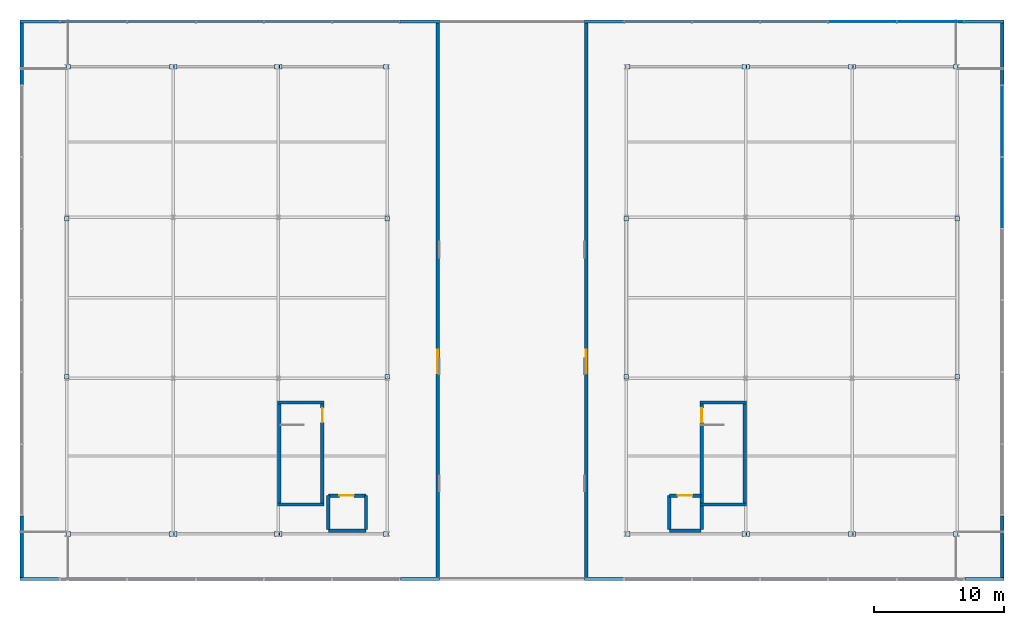
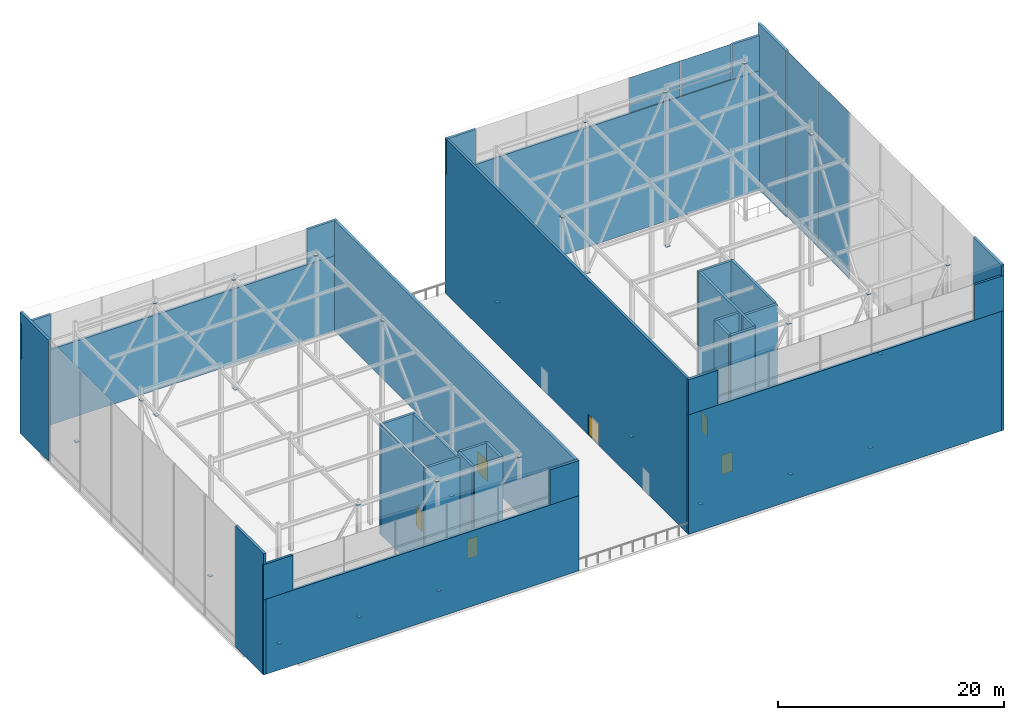
# One storey, part 37 of 39: 40 plates, 33 walls, 6 doors, 6 openings, 2 elements without a shape of their own.
"""IFC4 building model written with IfcOpenShell, lengths in metres."""

from ifc_helpers import new_model, si_unit, direction, frame, frame_2d, origin, origin_2d, place, context, subcontext, project, spatial, rectangle, extrude, material, layer, layer_set, type_object, element, fill, aggregate, save


model = new_model("IFC4")

# Units and contexts
model_context = context("Model", 3, precision=1e-05, world=origin(), true_north=direction((0.0, 1.0)))
body_context = subcontext(model_context, "Body", "Model", "MODEL_VIEW")
ifc_project = project(units=[si_unit("LENGTHUNIT", "METRE"), si_unit("AREAUNIT", "SQUARE_METRE"), si_unit("VOLUMEUNIT", "CUBIC_METRE"), si_unit("PLANEANGLEUNIT", "RADIAN"), si_unit("MASSUNIT", "GRAM", prefix="KILO")], contexts=[model_context])

# Site, building, storey
site_placement = place(None, origin())
site = spatial("IfcSite", under=ifc_project, at=site_placement, CompositionType="ELEMENT")
building_placement = place(site_placement, origin())
building = spatial("IfcBuilding", under=site, at=building_placement, Name="Korimba Cascade Residences", CompositionType="ELEMENT")
storey_placement = place(building_placement, frame((0.0, 0.0, 264.199951171875)))
storey = spatial("IfcBuildingStorey", under=building, at=storey_placement, Name="RF", CompositionType="ELEMENT", Elevation=264.199951171875)

# Curtain wall, plates
ifc_material_1 = material(Name="Anodised Aluminium Curtain Wall Framing", Category="aluminium")
ifc_layer_1 = layer(ifc_material_1, 0.179931640625)
ifc_layer_set_1 = layer_set([ifc_layer_1], Name="Anodised Aluminium Curtain Wall Framing")
curtain_wall_type = type_object("IfcCurtainWallType", Name="CW-CRNW-SYS5", PredefinedType="NOTDEFINED", material=ifc_layer_set_1)
curtain_wall_1_placement = place(storey_placement, origin())
curtain_wall_1 = element("IfcCurtainWall", 1, at=curtain_wall_1_placement, inside=storey, type_object=curtain_wall_type, Name="RF Curtain Wall CW-RF-CRN-E-1", PredefinedType="NOTDEFINED")
ifc_material_2 = material(Name="Insulated Stone-Tone Spandrel Panel", Category="masonry")
ifc_layer_2 = layer(ifc_material_2, 0.0400390625)
ifc_layer_set_2 = layer_set([ifc_layer_2], Name="Insulated Stone-Tone Spandrel Panel")
plate_type_1 = type_object("IfcPlateType", Name="CWP-SPN-40", PredefinedType="USERDEFINED", material=ifc_layer_set_2)
plate_1_placement = place(storey_placement, frame((131.875, 81.5, 0.0), z_axis=(0.0, 0.0, 1.0), x_axis=(0.0, 1.0, 0.0)))
plate_1 = element("IfcPlate", 2, at=plate_1_placement, type_object=plate_type_1, Name="CW-RF-CRN-E-1 Spandrel Panel 5", ObjectType="SPANDREL", PredefinedType="USERDEFINED", context=body_context, shape_type="SweptSolid", body=[
    extrude(rectangle(XDim=5.4833984375, YDim=0.0400390625, at=origin_2d()), origin(), (0.0, 0.0, 1.0), 0.89990234375),
])
plate_2_placement = place(storey_placement, frame((131.875, 87.01318359375, 0.0), z_axis=(0.0, 0.0, 1.0), x_axis=(0.0, 1.0, 0.0)))
plate_2 = element("IfcPlate", 3, at=plate_2_placement, type_object=plate_type_1, Name="CW-RF-CRN-E-1 Spandrel Panel 6", ObjectType="SPANDREL", PredefinedType="USERDEFINED", context=body_context, shape_type="SweptSolid", body=[
    extrude(rectangle(XDim=5.443359375, YDim=0.0400390625, at=origin_2d()), origin(), (0.0, 0.0, 1.0), 0.89990234375),
])

curtain_wall_2_placement = place(storey_placement, origin())
curtain_wall_2 = element("IfcCurtainWall", 4, at=curtain_wall_2_placement, inside=storey, type_object=curtain_wall_type, Name="RF Curtain Wall CW-RF-CRN-E-2", PredefinedType="NOTDEFINED")
plate_3_placement = place(storey_placement, frame((121.110107421875, 94.675048828125, 12.9501953125), z_axis=(0.0, 0.0, 1.0), x_axis=(1.0, 0.0, 0.0)))
plate_3 = element("IfcPlate", 5, at=plate_3_placement, type_object=plate_type_1, Name="CW-RF-CRN-E-2 Spandrel Panel 4", ObjectType="SPANDREL", PredefinedType="USERDEFINED", context=body_context, shape_type="SweptSolid", body=[
    extrude(rectangle(XDim=5.2099609375, YDim=0.0400390625, at=origin_2d()), origin(), (0.0, 0.0, 1.0), 0.89990234375),
])
plate_4_placement = place(storey_placement, frame((126.35009765625, 94.675048828125, 12.9501953125), z_axis=(0.0, 0.0, 1.0), x_axis=(1.0, 0.0, 0.0)))
plate_4 = element("IfcPlate", 6, at=plate_4_placement, type_object=plate_type_1, Name="CW-RF-CRN-E-2 Spandrel Panel 5", ObjectType="SPANDREL", PredefinedType="USERDEFINED", context=body_context, shape_type="SweptSolid", body=[
    extrude(rectangle(XDim=5.169921875, YDim=0.0400390625, at=origin_2d()), origin(), (0.0, 0.0, 1.0), 0.89990234375),
])

# Plate
ifc_material_3 = material(Name="Low-E Double Glazing Unit", Category="glass")
ifc_layer_3 = layer(ifc_material_3, 0.028076171875)
ifc_layer_set_3 = layer_set([ifc_layer_3], Name="Low-E Double Glazing Unit")
plate_type_2 = type_object("IfcPlateType", Name="CWP-VIS-28", PredefinedType="CURTAIN_PANEL", material=ifc_layer_set_3)
plate_5_placement = place(storey_placement, frame((131.875, 81.5, 0.900146484375), z_axis=(0.0, 0.0, 1.0), x_axis=(0.0, 1.0, 0.0)))
plate_5 = element("IfcPlate", 7, at=plate_5_placement, type_object=plate_type_2, Name="CW-RF-CRN-E-1 Vision Glass Panel 5", PredefinedType="CURTAIN_PANEL", context=body_context, shape_type="SweptSolid", body=[
    extrude(rectangle(XDim=5.4833984375, YDim=0.028076171875, at=origin_2d()), origin(), (0.0, 0.0, 1.0), 17.04541015625),
])

plate_6_placement = place(storey_placement, frame((131.875, 87.01318359375, 0.900146484375), z_axis=(0.0, 0.0, 1.0), x_axis=(0.0, 1.0, 0.0)))
plate_6 = element("IfcPlate", 8, at=plate_6_placement, type_object=plate_type_2, Name="CW-RF-CRN-E-1 Vision Glass Panel 6", PredefinedType="CURTAIN_PANEL", context=body_context, shape_type="SweptSolid", body=[
    extrude(rectangle(XDim=5.443359375, YDim=0.028076171875, at=origin_2d()), origin(), (0.0, 0.0, 1.0), 17.04541015625),
])

aggregate(curtain_wall_1, [plate_1, plate_5, plate_2, plate_6])

plate_7_placement = place(storey_placement, frame((121.110107421875, 94.675048828125, 13.85009765625), z_axis=(0.0, 0.0, 1.0), x_axis=(1.0, 0.0, 0.0)))
plate_7 = element("IfcPlate", 9, at=plate_7_placement, type_object=plate_type_2, Name="CW-RF-CRN-E-2 Vision Glass Panel 4", PredefinedType="CURTAIN_PANEL", context=body_context, shape_type="SweptSolid", body=[
    extrude(rectangle(XDim=5.2099609375, YDim=0.028076171875, at=origin_2d()), origin(), (0.0, 0.0, 1.0), 2.89990234375),
])

plate_8_placement = place(storey_placement, frame((126.35009765625, 94.675048828125, 13.85009765625), z_axis=(0.0, 0.0, 1.0), x_axis=(1.0, 0.0, 0.0)))
plate_8 = element("IfcPlate", 10, at=plate_8_placement, type_object=plate_type_2, Name="CW-RF-CRN-E-2 Vision Glass Panel 5", PredefinedType="CURTAIN_PANEL", context=body_context, shape_type="SweptSolid", body=[
    extrude(rectangle(XDim=5.169921875, YDim=0.028076171875, at=origin_2d()), origin(), (0.0, 0.0, 1.0), 2.89990234375),
])

aggregate(curtain_wall_2, [plate_3, plate_7, plate_4, plate_8])

# Plates
ifc_material_4 = material(Name="Steel S460", Category="steel")
ifc_layer_4 = layer(ifc_material_4, 0.028076171875)
ifc_layer_set_4 = layer_set([ifc_layer_4], Name="Steel S460")
plate_type_3 = type_object("IfcPlateType", Name="PLT-ENDCAP-28", PredefinedType="USERDEFINED", material=ifc_layer_set_4)
for number, where, z_axis, x_axis, name in (
    (11, (59.905029296875, 55.199951171875, 0.005859375), (0.0, 0.0, 1.0), (1.0, 0.0, 0.0), "RF Brace Welded End Connection Plate 186"),
    (12, (67.89501953125, 55.199951171875, 12.24365234375), (0.0, 0.0, 1.0), (1.0, 0.0, 0.0), "RF Brace Welded End Connection Plate 187"),
    (13, (68.10498046875, 55.199951171875, 0.005859375), (0.0, 0.0, 1.0), (1.0, 0.0, 0.0), "RF Brace Welded End Connection Plate 188"),
    (14, (75.9951171875, 55.199951171875, 11.94287109375), (0.0, 0.0, 1.0), (1.0, 0.0, 0.0), "RF Brace Welded End Connection Plate 189"),
    (15, (76.205078125, 55.199951171875, 0.005859375), (0.0, 0.0, 1.0), (1.0, 0.0, 0.0), "RF Brace Welded End Connection Plate 190"),
    (16, (84.39501953125, 55.199951171875, 11.63037109375), (0.0, 0.0, 1.0), (1.0, 0.0, 0.0), "RF Brace Welded End Connection Plate 191"),
    (17, (59.905029296875, 91.199951171875, 0.005859375), (0.0, 0.0, 1.0), (1.0, 0.0, 0.0), "RF Brace Welded End Connection Plate 192"),
    (18, (67.89501953125, 91.199951171875, 12.24365234375), (0.0, 0.0, 1.0), (1.0, 0.0, 0.0), "RF Brace Welded End Connection Plate 193"),
    (19, (68.10498046875, 91.199951171875, 0.005859375), (0.0, 0.0, 1.0), (1.0, 0.0, 0.0), "RF Brace Welded End Connection Plate 194"),
    (20, (75.9951171875, 91.199951171875, 11.94287109375), (0.0, 0.0, 1.0), (1.0, 0.0, 0.0), "RF Brace Welded End Connection Plate 195"),
    (21, (76.205078125, 91.199951171875, 0.005859375), (0.0, 0.0, 1.0), (1.0, 0.0, 0.0), "RF Brace Welded End Connection Plate 196"),
    (22, (84.39501953125, 91.199951171875, 11.63037109375), (0.0, 0.0, 1.0), (1.0, 0.0, 0.0), "RF Brace Welded End Connection Plate 197"),
    (23, (59.800048828125, 67.304931640625, 0.005859375), (0.0, 0.0, 1.0), (1.0, 0.0, 0.0), "RF Brace Welded End Connection Plate 198"),
    (24, (59.800048828125, 79.4951171875, 11.63037109375), (0.0, 0.0, 1.0), (1.0, 0.0, 0.0), "RF Brace Welded End Connection Plate 199"),
    (25, (84.5, 67.304931640625, 0.005859375), (0.0, 0.0, 1.0), (1.0, 0.0, 0.0), "RF Brace Welded End Connection Plate 200"),
    (26, (84.5, 79.4951171875, 11.63037109375), (0.0, 0.0, 1.0), (1.0, 0.0, 0.0), "RF Brace Welded End Connection Plate 201"),
    (27, (103.0048828125, 55.199951171875, 0.005859375), (0.0, 0.0, 1.0), (1.0, 0.0, 0.0), "RF Brace Welded End Connection Plate 202"),
    (28, (111.9951171875, 55.199951171875, 16.40087890625), (0.0, 0.0, 1.0), (1.0, 0.0, 0.0), "RF Brace Welded End Connection Plate 203"),
    (29, (112.205078125, 55.199951171875, 0.005859375), (0.0, 0.0, 1.0), (1.0, 0.0, 0.0), "RF Brace Welded End Connection Plate 204"),
    (30, (120.195068359375, 55.199951171875, 16.74267578125), (0.0, 0.0, 1.0), (1.0, 0.0, 0.0), "RF Brace Welded End Connection Plate 205"),
    (31, (120.405029296875, 55.199951171875, 0.005859375), (0.0, 0.0, 1.0), (1.0, 0.0, 0.0), "RF Brace Welded End Connection Plate 206"),
    (32, (128.294921875, 55.199951171875, 17.04736328125), (0.0, 0.0, 1.0), (1.0, 0.0, 0.0), "RF Brace Welded End Connection Plate 207"),
    (33, (103.0048828125, 91.199951171875, 0.005859375), (0.0, 0.0, 1.0), (1.0, 0.0, 0.0), "RF Brace Welded End Connection Plate 208"),
    (34, (111.9951171875, 91.199951171875, 16.40087890625), (0.0, 0.0, 1.0), (1.0, 0.0, 0.0), "RF Brace Welded End Connection Plate 209"),
    (35, (112.205078125, 91.199951171875, 0.005859375), (0.0, 0.0, 1.0), (1.0, 0.0, 0.0), "RF Brace Welded End Connection Plate 210"),
    (36, (120.195068359375, 91.199951171875, 16.74267578125), (0.0, 0.0, 1.0), (1.0, 0.0, 0.0), "RF Brace Welded End Connection Plate 211"),
    (37, (120.405029296875, 91.199951171875, 0.005859375), (0.0, 0.0, 1.0), (1.0, 0.0, 0.0), "RF Brace Welded End Connection Plate 212"),
    (38, (128.294921875, 91.199951171875, 17.04736328125), (0.0, 0.0, 1.0), (1.0, 0.0, 0.0), "RF Brace Welded End Connection Plate 213"),
    (39, (102.89990234375, 67.304931640625, 0.005859375), (0.0, 0.0, 1.0), (1.0, 0.0, 0.0), "RF Brace Welded End Connection Plate 214"),
    (40, (102.89990234375, 79.4951171875, 16.40087890625), (0.0, 0.0, 1.0), (1.0, 0.0, 0.0), "RF Brace Welded End Connection Plate 215"),
    (41, (128.39990234375, 67.304931640625, 0.005859375), (0.0, 0.0, 1.0), (1.0, 0.0, 0.0), "RF Brace Welded End Connection Plate 216"),
    (42, (128.39990234375, 79.4951171875, 16.40087890625), (0.0, 0.0, 1.0), (1.0, 0.0, 0.0), "RF Brace Welded End Connection Plate 217"),
):
    element("IfcPlate", number, at=place(storey_placement, frame(where, z_axis=z_axis, x_axis=x_axis)), inside=storey, type_object=plate_type_3, Name=name, ObjectType="CAP PLATE", PredefinedType="USERDEFINED", context=body_context, shape_type="SweptSolid", body=[
        extrude(rectangle(XDim=0.360107421875, YDim=0.360107421875, at=origin_2d()), origin(), (0.0, 0.0, 1.0), 0.028076171875),
    ])

# Walls
ifc_material_5 = material(Name="Precast concrete C40/50", Category="concrete")
ifc_layer_5 = layer(ifc_material_5, 0.25)
ifc_layer_set_5 = layer_set([ifc_layer_5], Name="Precast concrete C40/50")
wall_type_1 = type_object("IfcWallType", Name="EW-PLNT-250", PredefinedType="SHEAR", material=ifc_layer_set_5)
wall_1_placement = place(storey_placement, frame((56.199951171875, 51.72509765625, 0.0), z_axis=(0.0, 0.0, 1.0), x_axis=(1.0, 0.0, 0.0)))
element("IfcWall", 43, at=wall_1_placement, inside=storey, type_object=wall_type_1, Name="RF Crown W South Stone Cladding Wall", PredefinedType="SHEAR", context=body_context, shape_type="SweptSolid", body=[
    extrude(rectangle(XDim=32.300048828125, YDim=0.25, at=frame_2d((16.14990234375, 0.0))), origin(), (0.0, 0.0, 1.0), 8.150146484375),
])
for number, where, z_axis, x_axis, name in (
    (44, (56.199951171875, 51.72509765625, 8.150146484375), (0.0, 0.0, 1.0), (1.0, 0.0, 0.0), "RF Crown W South Clerestory Pier 1"),
    (45, (85.5, 51.72509765625, 8.150146484375), (0.0, 0.0, 1.0), (1.0, 0.0, 0.0), "RF Crown W South Clerestory Pier 2"),
):
    element("IfcWall", number, at=place(storey_placement, frame(where, z_axis=z_axis, x_axis=x_axis)), inside=storey, type_object=wall_type_1, Name=name, PredefinedType="SHEAR", context=body_context, shape_type="SweptSolid", body=[
        extrude(rectangle(XDim=3.0, YDim=0.25, at=frame_2d((1.5, 0.0))), origin(), (0.0, 0.0, 1.0), 3.7998046875),
    ])
wall_2_placement = place(storey_placement, frame((88.5, 94.675048828125, 0.0), z_axis=(0.0, 0.0, 1.0), x_axis=(-1.0, 0.0, 0.0)))
element("IfcWall", 46, at=wall_2_placement, inside=storey, type_object=wall_type_1, Name="RF Crown W North Stone Cladding Wall", PredefinedType="SHEAR", context=body_context, shape_type="SweptSolid", body=[
    extrude(rectangle(XDim=32.300048828125, YDim=0.25, at=frame_2d((16.14990234375, 0.0))), origin(), (0.0, 0.0, 1.0), 8.150146484375),
])
for number, where, z_axis, x_axis, name in (
    (47, (88.5, 94.675048828125, 8.150146484375), (0.0, 0.0, 1.0), (-1.0, 0.0, 0.0), "RF Crown W North Clerestory Pier 1"),
    (48, (59.199951171875, 94.675048828125, 8.150146484375), (0.0, 0.0, 1.0), (-1.0, 0.0, 0.0), "RF Crown W North Clerestory Pier 2"),
):
    element("IfcWall", number, at=place(storey_placement, frame(where, z_axis=z_axis, x_axis=x_axis)), inside=storey, type_object=wall_type_1, Name=name, PredefinedType="SHEAR", context=body_context, shape_type="SweptSolid", body=[
        extrude(rectangle(XDim=3.0, YDim=0.25, at=frame_2d((1.5, 0.0))), origin(), (0.0, 0.0, 1.0), 3.7998046875),
    ])
for number, where, z_axis, x_axis, name in (
    (49, (56.324951171875, 51.60009765625, 0.0), (0.0, 0.0, 1.0), (0.0, 1.0, 0.0), "RF Crown W Outer Corner Pier 1"),
    (50, (56.324951171875, 89.800048828125, 0.0), (0.0, 0.0, 1.0), (0.0, 1.0, 0.0), "RF Crown W Outer Corner Pier 2"),
):
    element("IfcWall", number, at=place(storey_placement, frame(where, z_axis=z_axis, x_axis=x_axis)), inside=storey, type_object=wall_type_1, Name=name, PredefinedType="SHEAR", context=body_context, shape_type="SweptSolid", body=[
        extrude(rectangle(XDim=5.0, YDim=0.25, at=frame_2d((2.5, 0.0))), origin(), (0.0, 0.0, 1.0), 13.1455078125),
    ])

# Wall, opening, door
wall_3_placement = place(storey_placement, frame((88.375, 51.60009765625, 0.0), z_axis=(0.0, 0.0, 1.0), x_axis=(0.0, 1.0, 0.0)))
wall_3 = element("IfcWall", 51, at=wall_3_placement, inside=storey, type_object=wall_type_1, Name="RF Crown W Cleft Stone Wall", PredefinedType="SHEAR", context=body_context, shape_type="SweptSolid", body=[
    extrude(rectangle(XDim=43.199951171875, YDim=0.25, at=frame_2d((21.60009765625, 0.0))), origin(), (0.0, 0.0, 1.0), 11.949951171875),
])
opening_1_placement = place(wall_3_placement, frame((16.0, 0.0, 0.0)))
opening_1 = element("IfcOpeningElement", 52, at=opening_1_placement, cuts=wall_3, Name="Opening D-EX2", PredefinedType="OPENING", context=body_context, shape_type="SweptSolid", body=[
    extrude(rectangle(XDim=1.800048828125, YDim=2.199951171875, at=frame_2d((0.89990234375, 1.10009765625))), frame((0.0, 0.135009765625, 0.0), z_axis=(0.0, -1.0, 0.0), x_axis=(1.0, 0.0, 0.0)), (0.0, 0.0, 1.0), 0.27001953125),
])
ifc_material_6 = material(Name="Galvanised Steel Fire Exit Door", Category="steel")
door_type_1 = type_object("IfcDoorType", Name="DR-EXT-EXIT", OperationType="NOTDEFINED", PredefinedType="DOOR", material=ifc_material_6)
door_1_placement = place(opening_1_placement, origin())
door_1 = element("IfcDoor", 53, at=door_1_placement, inside=storey, type_object=door_type_1, Name="RF Crown W Sky-Slot Maintenance Door", OperationType="DOUBLE_DOOR_SINGLE_SWING", OverallHeight=2.199951171875, OverallWidth=1.800048828125, PredefinedType="DOOR", context=body_context, shape_type="SweptSolid", body=[
    extrude(rectangle(XDim=1.800048828125, YDim=2.199951171875, at=frame_2d((0.89990234375, 1.10009765625))), frame((0.0, 0.02490234375, 0.0), z_axis=(0.0, -1.0, 0.0), x_axis=(1.0, 0.0, 0.0)), (0.0, 0.0, 1.0), 0.050048828125),
])
fill(opening_1, door_1)

# Walls
wall_4_placement = place(storey_placement, frame((99.699951171875, 51.72509765625, 0.0), z_axis=(0.0, 0.0, 1.0), x_axis=(1.0, 0.0, 0.0)))
element("IfcWall", 54, at=wall_4_placement, inside=storey, type_object=wall_type_1, Name="RF Crown E South Stone Cladding Wall", PredefinedType="SHEAR", context=body_context, shape_type="SweptSolid", body=[
    extrude(rectangle(XDim=32.300048828125, YDim=0.25, at=frame_2d((16.14990234375, 0.0))), origin(), (0.0, 0.0, 1.0), 12.949951171875),
])
for number, where, z_axis, x_axis, name in (
    (55, (99.699951171875, 51.72509765625, 12.949951171875), (0.0, 0.0, 1.0), (1.0, 0.0, 0.0), "RF Crown E South Clerestory Pier 1"),
    (56, (129.0, 51.72509765625, 12.949951171875), (0.0, 0.0, 1.0), (1.0, 0.0, 0.0), "RF Crown E South Clerestory Pier 2"),
):
    element("IfcWall", number, at=place(storey_placement, frame(where, z_axis=z_axis, x_axis=x_axis)), inside=storey, type_object=wall_type_1, Name=name, PredefinedType="SHEAR", context=body_context, shape_type="SweptSolid", body=[
        extrude(rectangle(XDim=3.0, YDim=0.25, at=frame_2d((1.5, 0.0))), origin(), (0.0, 0.0, 1.0), 3.800048828125),
    ])
wall_5_placement = place(storey_placement, frame((132.0, 94.675048828125, 0.0), z_axis=(0.0, 0.0, 1.0), x_axis=(-1.0, 0.0, 0.0)))
element("IfcWall", 57, at=wall_5_placement, inside=storey, type_object=wall_type_1, Name="RF Crown E North Stone Cladding Wall", PredefinedType="SHEAR", context=body_context, shape_type="SweptSolid", body=[
    extrude(rectangle(XDim=32.300048828125, YDim=0.25, at=frame_2d((16.14990234375, 0.0))), origin(), (0.0, 0.0, 1.0), 12.949951171875),
])
for number, where, z_axis, x_axis, name in (
    (58, (132.0, 94.675048828125, 12.949951171875), (0.0, 0.0, 1.0), (-1.0, 0.0, 0.0), "RF Crown E North Clerestory Pier 1"),
    (59, (102.699951171875, 94.675048828125, 12.949951171875), (0.0, 0.0, 1.0), (-1.0, 0.0, 0.0), "RF Crown E North Clerestory Pier 2"),
):
    element("IfcWall", number, at=place(storey_placement, frame(where, z_axis=z_axis, x_axis=x_axis)), inside=storey, type_object=wall_type_1, Name=name, PredefinedType="SHEAR", context=body_context, shape_type="SweptSolid", body=[
        extrude(rectangle(XDim=3.0, YDim=0.25, at=frame_2d((1.5, 0.0))), origin(), (0.0, 0.0, 1.0), 3.800048828125),
    ])
for number, where, z_axis, x_axis, name in (
    (60, (131.875, 51.60009765625, 0.0), (0.0, 0.0, 1.0), (0.0, 1.0, 0.0), "RF Crown E Outer Corner Pier 1"),
    (61, (131.875, 89.800048828125, 0.0), (0.0, 0.0, 1.0), (0.0, 1.0, 0.0), "RF Crown E Outer Corner Pier 2"),
):
    element("IfcWall", number, at=place(storey_placement, frame(where, z_axis=z_axis, x_axis=x_axis)), inside=storey, type_object=wall_type_1, Name=name, PredefinedType="SHEAR", context=body_context, shape_type="SweptSolid", body=[
        extrude(rectangle(XDim=5.0, YDim=0.25, at=frame_2d((2.5, 0.0))), origin(), (0.0, 0.0, 1.0), 17.945556640625),
    ])

# Wall, opening, door
wall_6_placement = place(storey_placement, frame((99.824951171875, 51.60009765625, 0.0), z_axis=(0.0, 0.0, 1.0), x_axis=(0.0, 1.0, 0.0)))
wall_6 = element("IfcWall", 62, at=wall_6_placement, inside=storey, type_object=wall_type_1, Name="RF Crown E Cleft Stone Wall", PredefinedType="SHEAR", context=body_context, shape_type="SweptSolid", body=[
    extrude(rectangle(XDim=43.199951171875, YDim=0.25, at=frame_2d((21.60009765625, 0.0))), origin(), (0.0, 0.0, 1.0), 16.75),
])
opening_2_placement = place(wall_6_placement, frame((16.0, 0.0, 0.0)))
opening_2 = element("IfcOpeningElement", 63, at=opening_2_placement, cuts=wall_6, Name="Opening D-EX2", PredefinedType="OPENING", context=body_context, shape_type="SweptSolid", body=[
    extrude(rectangle(XDim=1.800048828125, YDim=2.199951171875, at=frame_2d((0.89990234375, 1.10009765625))), frame((0.0, 0.135009765625, 0.0), z_axis=(0.0, -1.0, 0.0), x_axis=(1.0, 0.0, 0.0)), (0.0, 0.0, 1.0), 0.27001953125),
])
door_2_placement = place(opening_2_placement, origin())
door_2 = element("IfcDoor", 64, at=door_2_placement, inside=storey, type_object=door_type_1, Name="RF Crown E Sky-Slot Maintenance Door", OperationType="DOUBLE_DOOR_SINGLE_SWING", OverallHeight=2.199951171875, OverallWidth=1.800048828125, PredefinedType="DOOR", context=body_context, shape_type="SweptSolid", body=[
    extrude(rectangle(XDim=1.800048828125, YDim=2.199951171875, at=frame_2d((0.89990234375, 1.10009765625))), frame((0.0, 0.02490234375, 0.0), z_axis=(0.0, -1.0, 0.0), x_axis=(1.0, 0.0, 0.0)), (0.0, 0.0, 1.0), 0.050048828125),
])
fill(opening_2, door_2)

# Walls
ifc_material_7 = material(Name="Concrete C50/60", Category="concrete")
ifc_layer_6 = layer(ifc_material_7, 0.25)
ifc_layer_set_6 = layer_set([ifc_layer_6], Name="Concrete C50/60")
wall_type_2 = type_object("IfcWallType", Name="WAL-SHAFT-250", PredefinedType="SHEAR", material=ifc_layer_set_6)
wall_7_placement = place(storey_placement, frame((76.175048828125, 57.60009765625, 0.0), z_axis=(0.0, 0.0, 1.0), x_axis=(0.0, 1.0, 0.0)))
element("IfcWall", 65, at=wall_7_placement, inside=storey, type_object=wall_type_2, Name="RF Core Shear Wall CW-RF-STW1W", PredefinedType="SHEAR", context=body_context, shape_type="SweptSolid", body=[
    extrude(rectangle(XDim=7.599853515625, YDim=0.25, at=frame_2d((3.7998046875, 0.0))), origin(), (0.0, 0.0, 1.0), 11.949951171875),
])
for number, where, z_axis, x_axis, name in (
    (66, (76.050048828125, 57.47509765625, 0.0), (0.0, 0.0, 1.0), (1.0, 0.0, 0.0), "RF Core Shear Wall CW-RF-STW1S"),
    (67, (76.050048828125, 65.324951171875, 0.0), (0.0, 0.0, 1.0), (1.0, 0.0, 0.0), "RF Core Shear Wall CW-RF-STW1N"),
):
    element("IfcWall", number, at=place(storey_placement, frame(where, z_axis=z_axis, x_axis=x_axis)), inside=storey, type_object=wall_type_2, Name=name, PredefinedType="SHEAR", context=body_context, shape_type="SweptSolid", body=[
        extrude(rectangle(XDim=3.56005859375, YDim=0.25, at=frame_2d((1.780029296875, 0.0))), origin(), (0.0, 0.0, 1.0), 11.949951171875),
    ])

# Wall, opening, door
wall_8_placement = place(storey_placement, frame((79.485107421875, 57.60009765625, 0.0), z_axis=(0.0, 0.0, 1.0), x_axis=(0.0, 1.0, 0.0)))
wall_8 = element("IfcWall", 68, at=wall_8_placement, inside=storey, type_object=wall_type_2, Name="RF Core Shear Wall CW-RF-STW1E", PredefinedType="SHEAR", context=body_context, shape_type="SweptSolid", body=[
    extrude(rectangle(XDim=7.599853515625, YDim=0.25, at=frame_2d((3.7998046875, 0.0))), origin(), (0.0, 0.0, 1.0), 11.949951171875),
])
opening_3_placement = place(wall_8_placement, frame((6.199951171875, 0.0, 0.0)))
opening_3 = element("IfcOpeningElement", 69, at=opening_3_placement, cuts=wall_8, Name="Opening D-FD1", PredefinedType="OPENING", context=body_context, shape_type="SweptSolid", body=[
    extrude(rectangle(XDim=1.10009765625, YDim=2.10009765625, at=frame_2d((0.550048828125, 1.050048828125))), frame((0.0, 0.135009765625, 0.0), z_axis=(0.0, -1.0, 0.0), x_axis=(1.0, 0.0, 0.0)), (0.0, 0.0, 1.0), 0.27001953125),
])
ifc_material_8 = material(Name="Fire-Rated Steel Core Door", Category="steel")
door_type_2 = type_object("IfcDoorType", Name="DR-FD120-1100", OperationType="NOTDEFINED", PredefinedType="DOOR", material=ifc_material_8)
door_3_placement = place(opening_3_placement, origin())
door_3 = element("IfcDoor", 70, at=door_3_placement, inside=storey, type_object=door_type_2, Name="RF Stair ST-W1 Crown Door", OperationType="SINGLE_SWING_RIGHT", OverallHeight=2.10009765625, OverallWidth=1.10009765625, PredefinedType="DOOR", context=body_context, shape_type="SweptSolid", body=[
    extrude(rectangle(XDim=1.10009765625, YDim=2.10009765625, at=frame_2d((0.550048828125, 1.050048828125))), frame((0.0, 0.02490234375, 0.0), z_axis=(0.0, -1.0, 0.0), x_axis=(1.0, 0.0, 0.0)), (0.0, 0.0, 1.0), 0.050048828125),
])
fill(opening_3, door_3)

# Walls
for number, where, z_axis, x_axis, name in (
    (71, (79.949951171875, 55.550048828125, 0.0), (0.0, 0.0, 1.0), (0.0, 1.0, 0.0), "RF Core Shear Wall CW-RF-FFLW"),
    (72, (82.85009765625, 55.550048828125, 0.0), (0.0, 0.0, 1.0), (0.0, 1.0, 0.0), "RF Core Shear Wall CW-RF-FFLE"),
):
    element("IfcWall", number, at=place(storey_placement, frame(where, z_axis=z_axis, x_axis=x_axis)), inside=storey, type_object=wall_type_2, Name=name, PredefinedType="SHEAR", context=body_context, shape_type="SweptSolid", body=[
        extrude(rectangle(XDim=2.599853515625, YDim=0.25, at=frame_2d((1.2998046875, 0.0))), origin(), (0.0, 0.0, 1.0), 11.949951171875),
    ])
wall_9_placement = place(storey_placement, frame((79.949951171875, 55.449951171875, 0.0), z_axis=(0.0, 0.0, 1.0), x_axis=(1.0, 0.0, 0.0)))
element("IfcWall", 73, at=wall_9_placement, inside=storey, type_object=wall_type_2, Name="RF Core Shear Wall CW-RF-FFLS", PredefinedType="SHEAR", context=body_context, shape_type="SweptSolid", body=[
    extrude(rectangle(XDim=2.900146484375, YDim=0.25, at=frame_2d((1.4501953125, 0.0))), origin(), (0.0, 0.0, 1.0), 11.949951171875),
])

# Wall, opening, door
wall_10_placement = place(storey_placement, frame((79.949951171875, 58.14990234375, 0.0), z_axis=(0.0, 0.0, 1.0), x_axis=(1.0, 0.0, 0.0)))
wall_10 = element("IfcWall", 74, at=wall_10_placement, inside=storey, type_object=wall_type_2, Name="RF Core Shear Wall CW-RF-FFLN", PredefinedType="SHEAR", context=body_context, shape_type="SweptSolid", body=[
    extrude(rectangle(XDim=2.900146484375, YDim=0.25, at=frame_2d((1.4501953125, 0.0))), origin(), (0.0, 0.0, 1.0), 11.949951171875),
])
opening_4_placement = place(wall_10_placement, frame((0.85009765625, 0.0, 0.0)))
opening_4 = element("IfcOpeningElement", 75, at=opening_4_placement, cuts=wall_10, Name="Opening LD-01", PredefinedType="OPENING", context=body_context, shape_type="SweptSolid", body=[
    extrude(rectangle(XDim=1.1201171875, YDim=2.1201171875, at=frame_2d((0.56005859375, 1.06005859375))), frame((0.0, 0.135009765625, 0.0), z_axis=(0.0, -1.0, 0.0), x_axis=(1.0, 0.0, 0.0)), (0.0, 0.0, 1.0), 0.27001953125),
])
ifc_material_9 = material(Name="Stainless Steel Lift Landing Sliding Door", Category="steel")
door_type_3 = type_object("IfcDoorType", Name="DR-LIFT-1100", OperationType="NOTDEFINED", PredefinedType="DOOR", material=ifc_material_9)
door_4_placement = place(opening_4_placement, origin())
door_4 = element("IfcDoor", 76, at=door_4_placement, inside=storey, type_object=door_type_3, Name="RF Firefighting Lift Landing Door FFL-W1", OperationType="SLIDING_TO_LEFT", OverallHeight=2.1201171875, OverallWidth=1.1201171875, PredefinedType="DOOR", context=body_context, shape_type="SweptSolid", body=[
    extrude(rectangle(XDim=1.1201171875, YDim=2.1201171875, at=frame_2d((0.56005859375, 1.06005859375))), frame((0.0, 0.02490234375, 0.0), z_axis=(0.0, -1.0, 0.0), x_axis=(1.0, 0.0, 0.0)), (0.0, 0.0, 1.0), 0.050048828125),
])
fill(opening_4, door_4)

# Walls
wall_11_placement = place(storey_placement, frame((106.219970703125, 55.550048828125, 0.0), z_axis=(0.0, 0.0, 1.0), x_axis=(0.0, 1.0, 0.0)))
element("IfcWall", 77, at=wall_11_placement, inside=storey, type_object=wall_type_2, Name="RF Core Shear Wall CW-RF-FF2W", PredefinedType="SHEAR", context=body_context, shape_type="SweptSolid", body=[
    extrude(rectangle(XDim=2.599853515625, YDim=0.25, at=frame_2d((1.2998046875, 0.0))), origin(), (0.0, 0.0, 1.0), 16.9921875),
])
wall_12_placement = place(storey_placement, frame((106.219970703125, 55.449951171875, 0.0), z_axis=(0.0, 0.0, 1.0), x_axis=(1.0, 0.0, 0.0)))
element("IfcWall", 78, at=wall_12_placement, inside=storey, type_object=wall_type_2, Name="RF Core Shear Wall CW-RF-FF2S", PredefinedType="SHEAR", context=body_context, shape_type="SweptSolid", body=[
    extrude(rectangle(XDim=2.4599609375, YDim=0.25, at=frame_2d((1.22998046875, 0.0))), origin(), (0.0, 0.0, 1.0), 16.9921875),
])

# Wall, opening, door
wall_13_placement = place(storey_placement, frame((106.219970703125, 58.14990234375, 0.0), z_axis=(0.0, 0.0, 1.0), x_axis=(1.0, 0.0, 0.0)))
wall_13 = element("IfcWall", 79, at=wall_13_placement, inside=storey, type_object=wall_type_2, Name="RF Core Shear Wall CW-RF-FF2N", PredefinedType="SHEAR", context=body_context, shape_type="SweptSolid", body=[
    extrude(rectangle(XDim=2.4599609375, YDim=0.25, at=frame_2d((1.22998046875, 0.0))), origin(), (0.0, 0.0, 1.0), 16.9921875),
])
opening_5_placement = place(wall_13_placement, frame((0.64990234375, 0.0, 0.0)))
opening_5 = element("IfcOpeningElement", 80, at=opening_5_placement, cuts=wall_13, Name="Opening LD-01", PredefinedType="OPENING", context=body_context, shape_type="SweptSolid", body=[
    extrude(rectangle(XDim=1.1201171875, YDim=2.1201171875, at=frame_2d((0.56005859375, 1.06005859375))), frame((0.0, 0.135009765625, 0.0), z_axis=(0.0, -1.0, 0.0), x_axis=(1.0, 0.0, 0.0)), (0.0, 0.0, 1.0), 0.27001953125),
])
door_5_placement = place(opening_5_placement, origin())
door_5 = element("IfcDoor", 81, at=door_5_placement, inside=storey, type_object=door_type_3, Name="RF Firefighting Lift Landing Door FFL-W2", OperationType="SLIDING_TO_RIGHT", OverallHeight=2.1201171875, OverallWidth=1.1201171875, PredefinedType="DOOR", context=body_context, shape_type="SweptSolid", body=[
    extrude(rectangle(XDim=1.1201171875, YDim=2.1201171875, at=frame_2d((0.56005859375, 1.06005859375))), frame((0.0, 0.02490234375, 0.0), z_axis=(0.0, -1.0, 0.0), x_axis=(1.0, 0.0, 0.0)), (0.0, 0.0, 1.0), 0.050048828125),
])
fill(opening_5, door_5)

# Walls
wall_14_placement = place(storey_placement, frame((112.02490234375, 57.60009765625, 0.0), z_axis=(0.0, 0.0, 1.0), x_axis=(0.0, 1.0, 0.0)))
element("IfcWall", 82, at=wall_14_placement, inside=storey, type_object=wall_type_2, Name="RF Core Shear Wall CW-RF-STW2E", PredefinedType="SHEAR", context=body_context, shape_type="SweptSolid", body=[
    extrude(rectangle(XDim=7.599853515625, YDim=0.25, at=frame_2d((3.7998046875, 0.0))), origin(), (0.0, 0.0, 1.0), 17.2080078125),
])
for number, where, z_axis, x_axis, name in (
    (83, (108.590087890625, 57.47509765625, 0.0), (0.0, 0.0, 1.0), (1.0, 0.0, 0.0), "RF Core Shear Wall CW-RF-STW2S"),
    (84, (108.590087890625, 65.324951171875, 0.0), (0.0, 0.0, 1.0), (1.0, 0.0, 0.0), "RF Core Shear Wall CW-RF-STW2N"),
):
    element("IfcWall", number, at=place(storey_placement, frame(where, z_axis=z_axis, x_axis=x_axis)), inside=storey, type_object=wall_type_2, Name=name, PredefinedType="SHEAR", context=body_context, shape_type="SweptSolid", body=[
        extrude(rectangle(XDim=3.559814453125, YDim=0.25, at=frame_2d((1.77978515625, 0.0))), origin(), (0.0, 0.0, 1.0), 17.080322265625),
    ])

# Wall, opening, door
wall_15_placement = place(storey_placement, frame((108.715087890625, 55.550048828125, 0.0), z_axis=(0.0, 0.0, 1.0), x_axis=(0.0, 1.0, 0.0)))
wall_15 = element("IfcWall", 85, at=wall_15_placement, inside=storey, type_object=wall_type_2, Name="RF Core Shear Wall CW-RF-STW2W", PredefinedType="SHEAR", context=body_context, shape_type="SweptSolid", body=[
    extrude(rectangle(XDim=9.64990234375, YDim=0.25, at=frame_2d((4.824951171875, 0.0))), origin(), (0.0, 0.0, 1.0), 17.0849609375),
])
opening_6_placement = place(wall_15_placement, frame((8.25, 0.0, 0.0)))
opening_6 = element("IfcOpeningElement", 86, at=opening_6_placement, cuts=wall_15, Name="Opening D-FD1", PredefinedType="OPENING", context=body_context, shape_type="SweptSolid", body=[
    extrude(rectangle(XDim=1.10009765625, YDim=2.10009765625, at=frame_2d((0.550048828125, 1.050048828125))), frame((0.0, 0.135009765625, 0.0), z_axis=(0.0, -1.0, 0.0), x_axis=(1.0, 0.0, 0.0)), (0.0, 0.0, 1.0), 0.27001953125),
])
door_6_placement = place(opening_6_placement, origin())
door_6 = element("IfcDoor", 87, at=door_6_placement, inside=storey, type_object=door_type_2, Name="RF Stair ST-W2 Crown Door", OperationType="SINGLE_SWING_LEFT", OverallHeight=2.10009765625, OverallWidth=1.10009765625, PredefinedType="DOOR", context=body_context, shape_type="SweptSolid", body=[
    extrude(rectangle(XDim=1.10009765625, YDim=2.10009765625, at=frame_2d((0.550048828125, 1.050048828125))), frame((0.0, 0.02490234375, 0.0), z_axis=(0.0, -1.0, 0.0), x_axis=(1.0, 0.0, 0.0)), (0.0, 0.0, 1.0), 0.050048828125),
])
fill(opening_6, door_6)

save(model, "model.ifc")
